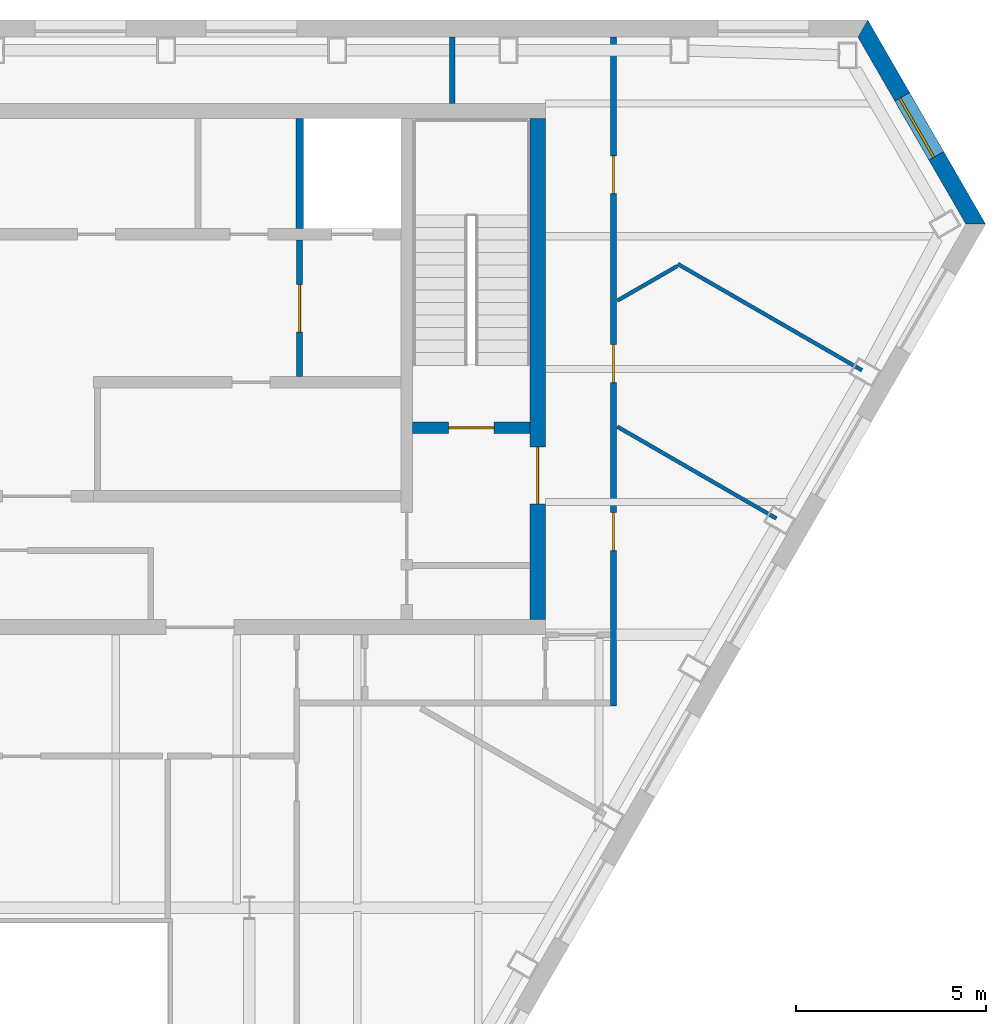
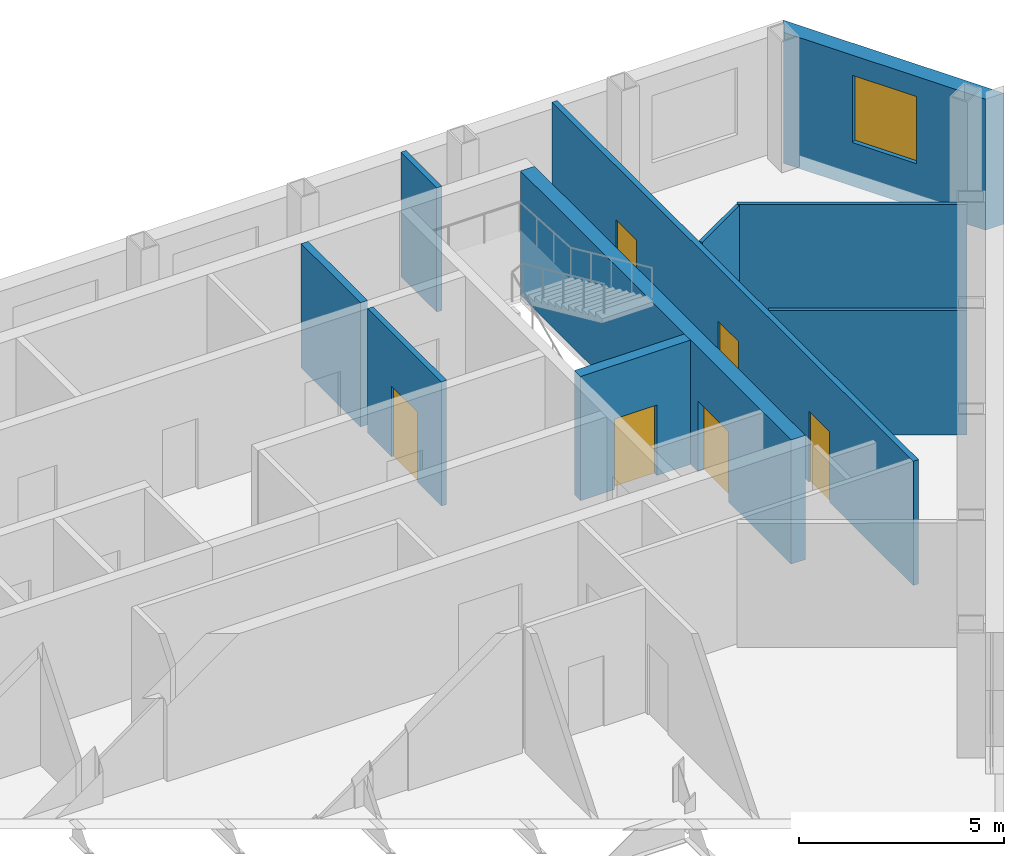
# One storey, part 7 of 10: 10 walls, 6 doors, 1 window, 7 openings.
"""IFC4 building model written with IfcOpenShell, lengths in metres."""

from ifc_helpers import new_model, si_unit, direction, frame, frame_2d, origin, place, context, subcontext, project, spatial, polyline, rectangle, outline, extrude, material, layer, layer_set, type_object, element, fill, save


model = new_model("IFC4")

# Units and contexts
model_context = context("Model", 3, precision=1e-05, world=origin(), true_north=direction((0.0, 1.0)))
body_context = subcontext(model_context, "Body", "Model", "MODEL_VIEW")
ifc_project = project(units=[si_unit("LENGTHUNIT", "METRE"), si_unit("AREAUNIT", "SQUARE_METRE"), si_unit("VOLUMEUNIT", "CUBIC_METRE"), si_unit("PLANEANGLEUNIT", "RADIAN"), si_unit("MASSUNIT", "GRAM", prefix="KILO")], contexts=[model_context])

# Site, building, storey
site_placement = place(None, origin())
site = spatial("IfcSite", under=ifc_project, at=site_placement, CompositionType="ELEMENT")
building_placement = place(site_placement, origin())
building = spatial("IfcBuilding", under=site, at=building_placement, Name="Njiva Tower", CompositionType="ELEMENT")
storey_placement = place(building_placement, frame((0.0, 0.0, 253.2)))
storey = spatial("IfcBuildingStorey", under=building, at=storey_placement, Name="L57", CompositionType="ELEMENT", Elevation=253.2)

# Wall, opening, door
ifc_material_1 = material(Name="Concrete C40/50", Category="concrete")
ifc_layer_1 = layer(ifc_material_1, 0.3)
ifc_layer_set_1 = layer_set([ifc_layer_1], Name="Concrete C40/50")
wall_type_1 = type_object("IfcWallType", Name="WT10 Stair enclosure wall 300", PredefinedType="SHEAR", material=ifc_layer_set_1)
wall_1_placement = place(storey_placement, frame((11.0, 9.45, 0.0), z_axis=(0.0, 0.0, 1.0), x_axis=(1.0, 0.0, 0.0)))
wall_1 = element("IfcWall", 1, at=wall_1_placement, inside=storey, type_object=wall_type_1, Name="Stair B south wall", PredefinedType="SHEAR", context=body_context, shape_type="SweptSolid", body=[
    extrude(rectangle(XDim=3.1, YDim=0.3, at=frame_2d((1.55, 0.0))), origin(), (0.0, 0.0, 1.0), 3.7),
])
opening_1_placement = place(wall_1_placement, frame((0.95, 0.0, 0.0)))
opening_1 = element("IfcOpeningElement", 2, at=opening_1_placement, cuts=wall_1, Name="Opening S18-D919", PredefinedType="OPENING", context=body_context, shape_type="SweptSolid", body=[
    extrude(rectangle(XDim=1.2, YDim=2.1, at=frame_2d((0.6, 1.05))), frame((0.0, 0.16, 0.0), z_axis=(0.0, -1.0, 0.0), x_axis=(1.0, 0.0, 0.0)), (0.0, 0.0, 1.0), 0.32),
])
ifc_material_2 = material(Name="Glazed steel fire door", Category="steel")
door_type_1 = type_object("IfcDoorType", Name="D7 Stair vestibule door 1200x2100 glazed", OperationType="SINGLE_SWING_LEFT", PredefinedType="DOOR", material=ifc_material_2)
door_1_placement = place(opening_1_placement, origin())
door_1 = element("IfcDoor", 3, at=door_1_placement, inside=storey, type_object=door_type_1, Name="Stair B door", OperationType="SINGLE_SWING_LEFT", OverallHeight=2.1, OverallWidth=1.2, PredefinedType="DOOR", context=body_context, shape_type="SweptSolid", body=[
    extrude(rectangle(XDim=1.2, YDim=2.1, at=frame_2d((0.6, 1.05))), frame((0.0, 0.025, 0.0), z_axis=(0.0, -1.0, 0.0), x_axis=(1.0, 0.0, 0.0)), (0.0, 0.0, 1.0), 0.05),
])
fill(opening_1, door_1)

ifc_material_3 = material(Name="Concrete C60/75", Category="concrete")
ifc_layer_2 = layer(ifc_material_3, 0.4)
ifc_layer_set_2 = layer_set([ifc_layer_2], Name="Concrete C60/75")
wall_type_2 = type_object("IfcWallType", Name="WT11 Core wall 400", PredefinedType="SHEAR", material=ifc_layer_set_2)
wall_2_placement = place(storey_placement, frame((14.3, 4.4, 0.0), z_axis=(0.0, 0.0, 1.0), x_axis=(0.0, 1.0, 0.0)))
wall_2 = element("IfcWall", 4, at=wall_2_placement, inside=storey, type_object=wall_type_2, Name="Core wall east", PredefinedType="SHEAR", context=body_context, shape_type="SweptSolid", body=[
    extrude(rectangle(XDim=13.2, YDim=0.4, at=frame_2d((6.6, 0.0))), origin(), (0.0, 0.0, 1.0), 3.7),
])
opening_2_placement = place(wall_2_placement, frame((3.05, 0.0, 0.0)))
opening_2 = element("IfcOpeningElement", 5, at=opening_2_placement, cuts=wall_2, Name="Opening S18-D921", PredefinedType="OPENING", context=body_context, shape_type="SweptSolid", body=[
    extrude(rectangle(XDim=1.5, YDim=2.1, at=frame_2d((0.75, 1.05))), frame((0.0, 0.21, 0.0), z_axis=(0.0, -1.0, 0.0), x_axis=(1.0, 0.0, 0.0)), (0.0, 0.0, 1.0), 0.42),
])
door_type_2 = type_object("IfcDoorType", Name="D10 Exit door double 1500x2100 glazed", OperationType="DOUBLE_DOOR_SINGLE_SWING", PredefinedType="DOOR", material=ifc_material_2)
door_2_placement = place(opening_2_placement, origin())
door_2 = element("IfcDoor", 6, at=door_2_placement, inside=storey, type_object=door_type_2, Name="Stair B corridor door", OperationType="DOUBLE_DOOR_SINGLE_SWING", OverallHeight=2.1, OverallWidth=1.5, PredefinedType="DOOR", context=body_context, shape_type="SweptSolid", body=[
    extrude(rectangle(XDim=1.5, YDim=2.1, at=frame_2d((0.75, 1.05))), frame((0.0, 0.025, 0.0), z_axis=(0.0, -1.0, 0.0), x_axis=(1.0, 0.0, 0.0)), (0.0, 0.0, 1.0), 0.05),
])
fill(opening_2, door_2)

ifc_material_4 = material(Name="Blockwork", Category="masonry")
ifc_layer_3 = layer(ifc_material_4, 0.15)
ifc_layer_set_3 = layer_set([ifc_layer_3], Name="Blockwork")
wall_type_3 = type_object("IfcWallType", Name="WT2 Lobby partition 150", PredefinedType="PARTITIONING", material=ifc_layer_set_3)
wall_3_placement = place(storey_placement, frame((8.025, 10.8, 0.0), z_axis=(0.0, 0.0, 1.0), x_axis=(0.0, 1.0, 0.0)))
wall_3 = element("IfcWall", 7, at=wall_3_placement, inside=storey, type_object=wall_type_3, Name="Firefighting lobby wall B", PredefinedType="PARTITIONING", context=body_context, shape_type="SweptSolid", body=[
    extrude(rectangle(XDim=3.6, YDim=0.15, at=frame_2d((1.8, 0.0))), origin(), (0.0, 0.0, 1.0), 3.7),
])
opening_3_placement = place(wall_3_placement, frame((1.175, 0.0, 0.0)))
opening_3 = element("IfcOpeningElement", 8, at=opening_3_placement, cuts=wall_3, Name="Opening S18-D918", PredefinedType="OPENING", context=body_context, shape_type="SweptSolid", body=[
    extrude(rectangle(XDim=1.25, YDim=2.1, at=frame_2d((0.625, 1.05))), frame((0.0, 0.085, 0.0), z_axis=(0.0, -1.0, 0.0), x_axis=(1.0, 0.0, 0.0)), (0.0, 0.0, 1.0), 0.17),
])
door_type_3 = type_object("IfcDoorType", Name="D8 Vestibule corridor door 1250x2100 glazed", OperationType="SINGLE_SWING_LEFT", PredefinedType="DOOR", material=ifc_material_2)
door_3_placement = place(opening_3_placement, origin())
door_3 = element("IfcDoor", 9, at=door_3_placement, inside=storey, type_object=door_type_3, Name="Stair vestibule corridor door", OperationType="SINGLE_SWING_LEFT", OverallHeight=2.1, OverallWidth=1.25, PredefinedType="DOOR", context=body_context, shape_type="SweptSolid", body=[
    extrude(rectangle(XDim=1.25, YDim=2.1, at=frame_2d((0.625, 1.05))), frame((0.0, 0.025, 0.0), z_axis=(0.0, -1.0, 0.0), x_axis=(1.0, 0.0, 0.0)), (0.0, 0.0, 1.0), 0.05),
])
fill(opening_3, door_3)

# Walls
ifc_material_5 = material(Name="Gypsum board on steel studs", Category="gypsum")
ifc_layer_4 = layer(ifc_material_5, 0.1)
ifc_layer_set_4 = layer_set([ifc_layer_4], Name="Gypsum board on steel studs")
wall_type_4 = type_object("IfcWallType", Name="WT20 Gypsum partition 100", PredefinedType="PARTITIONING", material=ifc_layer_set_4)
wall_4_placement = place(storey_placement, frame((16.4, 12.803, 0.0), z_axis=(0.0, 0.0, 1.0), x_axis=(0.866341220787, 0.499452589508, 0.0)))
element("IfcWall", 10, at=wall_4_placement, inside=storey, type_object=wall_type_4, Name="Partition S18-P031", PredefinedType="PARTITIONING", context=body_context, shape_type="SweptSolid", body=[
    extrude(rectangle(XDim=1.818, YDim=0.1, at=frame_2d((0.909, 0.0))), origin(), (0.0, 0.0, 1.0), 3.7),
])
wall_5_placement = place(storey_placement, frame((16.4, 9.482, 0.0), z_axis=(0.0, 0.0, 1.0), x_axis=(0.866085797004, -0.499895381282, 0.0)))
element("IfcWall", 11, at=wall_5_placement, inside=storey, type_object=wall_type_4, Name="Partition S18-P032", PredefinedType="PARTITIONING", context=body_context, shape_type="SweptSolid", body=[
    extrude(rectangle(XDim=4.839, YDim=0.1, at=frame_2d((2.4195, 0.0))), origin(), (0.0, 0.0, 1.0), 3.7),
])
wall_6_placement = place(storey_placement, frame((17.991, 13.77, 0.0), z_axis=(0.0, 0.0, 1.0), x_axis=(0.866182615826, -0.499727601839, 0.0)))
element("IfcWall", 12, at=wall_6_placement, inside=storey, type_object=wall_type_4, Name="Partition S18-P033", PredefinedType="PARTITIONING", context=body_context, shape_type="SweptSolid", body=[
    extrude(rectangle(XDim=5.6051, YDim=0.1, at=frame_2d((2.8026, 0.0))), origin(), (0.0, 0.0, 1.0), 3.7),
])
ifc_layer_5 = layer(ifc_material_5, 0.15)
ifc_layer_set_5 = layer_set([ifc_layer_5], Name="Gypsum board on steel studs")
wall_type_5 = type_object("IfcWallType", Name="WT21 Compartment wall 150", PredefinedType="PARTITIONING", material=ifc_layer_set_5)
wall_7_placement = place(storey_placement, frame((12.05, 18.0, 0.0), z_axis=(0.0, 0.0, 1.0), x_axis=(0.0, 1.0, 0.0)))
element("IfcWall", 13, at=wall_7_placement, inside=storey, type_object=wall_type_5, Name="Partition S18-P027", PredefinedType="PARTITIONING", context=body_context, shape_type="SweptSolid", body=[
    extrude(rectangle(XDim=1.75, YDim=0.15, at=frame_2d((0.875, 0.0))), origin(), (0.0, 0.0, 1.0), 3.7),
])

# Wall, openings, doors
wall_8_placement = place(storey_placement, frame((16.3, 2.125, 0.0), z_axis=(0.0, 0.0, 1.0), x_axis=(0.0, 1.0, 0.0)))
wall_8 = element("IfcWall", 14, at=wall_8_placement, inside=storey, type_object=wall_type_5, Name="Partition S18-P030", PredefinedType="PARTITIONING", context=body_context, shape_type="SweptSolid", body=[
    extrude(rectangle(XDim=17.622, YDim=0.15, at=frame_2d((8.811, 0.0))), origin(), (0.0, 0.0, 1.0), 3.7),
])
opening_4_placement = place(wall_8_placement, frame((4.088, 0.0, 0.0)))
opening_4 = element("IfcOpeningElement", 15, at=opening_4_placement, cuts=wall_8, Name="Opening S18-D020", PredefinedType="OPENING", context=body_context, shape_type="SweptSolid", body=[
    extrude(rectangle(XDim=1.0, YDim=2.1, at=frame_2d((0.5, 1.05))), frame((0.0, 0.085, 0.0), z_axis=(0.0, -1.0, 0.0), x_axis=(1.0, 0.0, 0.0)), (0.0, 0.0, 1.0), 0.17),
])
opening_5_placement = place(wall_8_placement, frame((8.517, 0.0, 0.0)))
opening_5 = element("IfcOpeningElement", 16, at=opening_5_placement, cuts=wall_8, Name="Opening S18-D021", PredefinedType="OPENING", context=body_context, shape_type="SweptSolid", body=[
    extrude(rectangle(XDim=1.0, YDim=2.1, at=frame_2d((0.5, 1.05))), frame((0.0, 0.085, 0.0), z_axis=(0.0, -1.0, 0.0), x_axis=(1.0, 0.0, 0.0)), (0.0, 0.0, 1.0), 0.17),
])
opening_6_placement = place(wall_8_placement, frame((13.496, 0.0, 0.0)))
opening_6 = element("IfcOpeningElement", 17, at=opening_6_placement, cuts=wall_8, Name="Opening S18-D022", PredefinedType="OPENING", context=body_context, shape_type="SweptSolid", body=[
    extrude(rectangle(XDim=1.0, YDim=2.1, at=frame_2d((0.5, 1.05))), frame((0.0, 0.085, 0.0), z_axis=(0.0, -1.0, 0.0), x_axis=(1.0, 0.0, 0.0)), (0.0, 0.0, 1.0), 0.17),
])
ifc_material_6 = material(Name="Steel fire door set", Category="steel")
door_type_4 = type_object("IfcDoorType", Name="D37 Fire door 1000x2100", OperationType="SINGLE_SWING_LEFT", PredefinedType="DOOR", material=ifc_material_6)
door_4_placement = place(opening_4_placement, origin())
door_4 = element("IfcDoor", 18, at=door_4_placement, inside=storey, type_object=door_type_4, Name="Door S18-D020", OperationType="SINGLE_SWING_LEFT", OverallHeight=2.1, OverallWidth=1.0, PredefinedType="DOOR", context=body_context, shape_type="SweptSolid", body=[
    extrude(rectangle(XDim=1.0, YDim=2.1, at=frame_2d((0.5, 1.05))), frame((0.0, 0.025, 0.0), z_axis=(0.0, -1.0, 0.0), x_axis=(1.0, 0.0, 0.0)), (0.0, 0.0, 1.0), 0.05),
])
fill(opening_4, door_4)
door_5_placement = place(opening_5_placement, origin())
door_5 = element("IfcDoor", 19, at=door_5_placement, inside=storey, type_object=door_type_4, Name="Door S18-D021", OperationType="SINGLE_SWING_RIGHT", OverallHeight=2.1, OverallWidth=1.0, PredefinedType="DOOR", context=body_context, shape_type="SweptSolid", body=[
    extrude(rectangle(XDim=1.0, YDim=2.1, at=frame_2d((0.5, 1.05))), frame((0.0, 0.025, 0.0), z_axis=(0.0, -1.0, 0.0), x_axis=(1.0, 0.0, 0.0)), (0.0, 0.0, 1.0), 0.05),
])
fill(opening_5, door_5)
door_6_placement = place(opening_6_placement, origin())
door_6 = element("IfcDoor", 20, at=door_6_placement, inside=storey, type_object=door_type_4, Name="Door S18-D022", OperationType="SINGLE_SWING_RIGHT", OverallHeight=2.1, OverallWidth=1.0, PredefinedType="DOOR", context=body_context, shape_type="SweptSolid", body=[
    extrude(rectangle(XDim=1.0, YDim=2.1, at=frame_2d((0.5, 1.05))), frame((0.0, 0.025, 0.0), z_axis=(0.0, -1.0, 0.0), x_axis=(1.0, 0.0, 0.0)), (0.0, 0.0, 1.0), 0.05),
])
fill(opening_6, door_6)

# Wall
ifc_layer_6 = layer(ifc_material_1, 0.2)
ifc_layer_set_6 = layer_set([ifc_layer_6], Name="Concrete C40/50")
wall_type_6 = type_object("IfcWallType", Name="WT6 Lift shaft wall 200", PredefinedType="SHEAR", material=ifc_layer_set_6)
wall_9_placement = place(storey_placement, frame((8.025, 14.7, 0.0), z_axis=(0.0, 0.0, 1.0), x_axis=(0.0, 1.0, 0.0)))
element("IfcWall", 21, at=wall_9_placement, inside=storey, type_object=wall_type_6, Name="Shaft wall CN7", PredefinedType="SHEAR", context=body_context, shape_type="SweptSolid", body=[
    extrude(rectangle(XDim=2.9, YDim=0.2, at=frame_2d((1.45, 0.0))), origin(), (0.0, 0.0, 1.0), 3.7),
])

# Wall, opening, window
ifc_material_7 = material(Name="Brick masonry, buff", Category="masonry")
ifc_layer_7 = layer(ifc_material_7, 0.45)
ifc_layer_set_7 = layer_set([ifc_layer_7], Name="Brick masonry, buff")
wall_type_7 = type_object("IfcWallType", Name="WT94 Brick pier and spandrel wall 450, buff", PredefinedType="SOLIDWALL", material=ifc_layer_set_7)
wall_10_placement = place(storey_placement, frame((25.8464, 14.8198, -0.4), z_axis=(0.0, 0.0, 1.0), x_axis=(-0.500001772576, 0.866024380385, 0.0)))
wall_10 = element("IfcWall", 22, at=wall_10_placement, inside=storey, type_object=wall_type_7, Name="Facade wall NE", PredefinedType="SOLIDWALL", context=body_context, shape_type="SweptSolid", body=[
    extrude(outline(polyline([(-0.1299, -0.225), (6.0801, -0.225), (5.8203, 0.225), (0.1299, 0.225), (-0.1299, -0.225)])), origin(), (0.0, 0.0, 1.0), 3.9),
])
opening_7_placement = place(wall_10_placement, frame((2.0751, 0.0, 1.3)))
opening_7 = element("IfcOpeningElement", 23, at=opening_7_placement, cuts=wall_10, Name="Opening S18-W29", PredefinedType="OPENING", context=body_context, shape_type="SweptSolid", body=[
    extrude(rectangle(XDim=1.8, YDim=2.0, at=frame_2d((0.9, 1.0))), frame((0.0, 0.235, 0.0), z_axis=(0.0, -1.0, 0.0), x_axis=(1.0, 0.0, 0.0)), (0.0, 0.0, 1.0), 0.47),
])
ifc_material_8 = material(Name="Clear glazing in aluminium frame", Category="aluminium")
window_type = type_object("IfcWindowType", Name="W94 Deep-set window 1800x2000", PartitioningType="SINGLE_PANEL", PredefinedType="WINDOW", material=ifc_material_8)
window_placement = place(opening_7_placement, origin())
window = element("IfcWindow", 24, at=window_placement, inside=storey, type_object=window_type, Name="Window", OverallHeight=2.0, OverallWidth=1.8, PartitioningType="SINGLE_PANEL", PredefinedType="WINDOW", context=body_context, shape_type="SweptSolid", body=[
    extrude(rectangle(XDim=1.8, YDim=2.0, at=frame_2d((0.9, 1.0))), frame((0.0, 0.105, 0.0), z_axis=(0.0, -1.0, 0.0), x_axis=(1.0, 0.0, 0.0)), (0.0, 0.0, 1.0), 0.06),
])
fill(opening_7, window)

save(model, "model.ifc")
